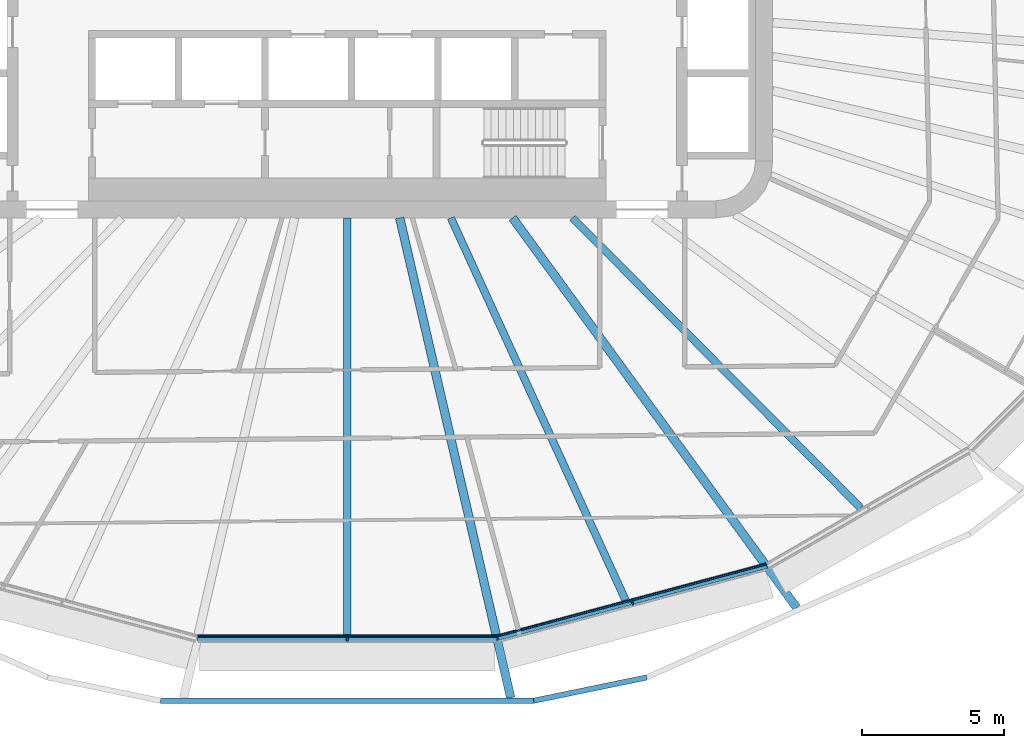
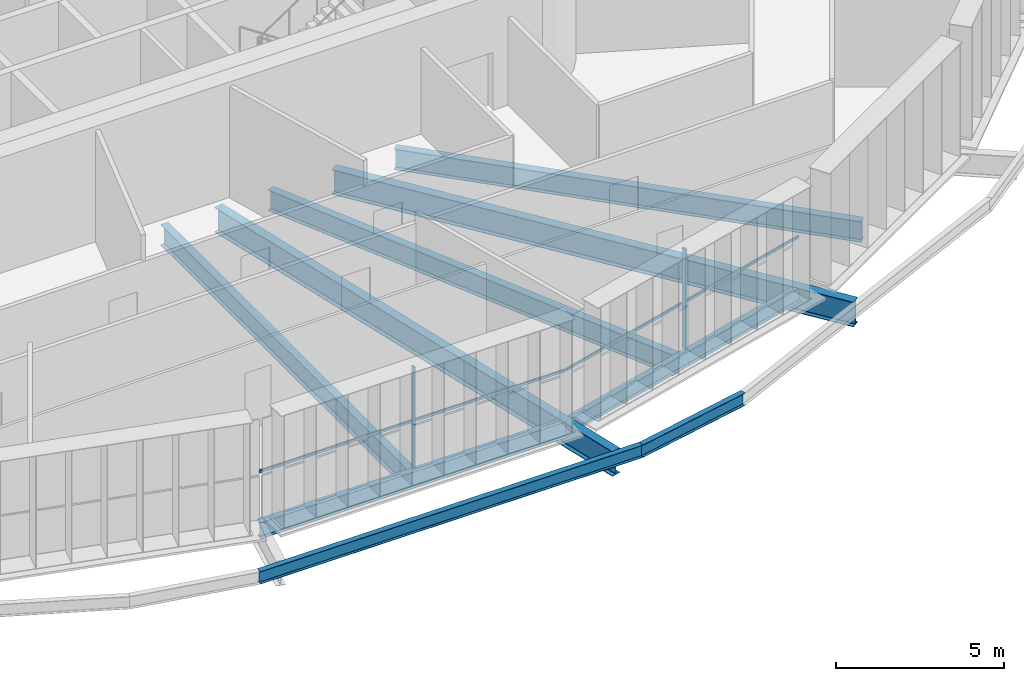
# One storey, part 4 of 24: 9 beams, 4 members, 2 elements without a shape of their own.
"""IFC4 building model written with IfcOpenShell, lengths in metres."""

from ifc_helpers import new_model, si_unit, direction, frame, origin, origin_2d, place, context, subcontext, project, spatial, rectangle, i_section, extrude, material, layer, layer_set, material_profile, profile_set, type_object, element, aggregate, save


model = new_model("IFC4")

# Units and contexts
model_context = context("Model", 3, precision=1e-05, world=origin(), true_north=direction((0.0, 1.0)))
body_context = subcontext(model_context, "Body", "Model", "MODEL_VIEW")
ifc_project = project(units=[si_unit("LENGTHUNIT", "METRE"), si_unit("AREAUNIT", "SQUARE_METRE"), si_unit("VOLUMEUNIT", "CUBIC_METRE"), si_unit("PLANEANGLEUNIT", "RADIAN"), si_unit("MASSUNIT", "GRAM", prefix="KILO")], contexts=[model_context])

# Site, building, storey
site_placement = place(None, origin())
site = spatial("IfcSite", under=ifc_project, at=site_placement, CompositionType="ELEMENT")
building_placement = place(site_placement, origin())
building = spatial("IfcBuilding", under=site, at=building_placement, Name="Sahrelin Media Tower", CompositionType="ELEMENT")
storey_placement = place(building_placement, frame((0.0, 0.0, 58.800048828125)))
storey = spatial("IfcBuildingStorey", under=building, at=storey_placement, Name="L09", CompositionType="ELEMENT", Elevation=58.800048828125)

# Beams
ifc_material_1 = material(Name="Steel S355", Category="steel")
ifc_material_profile_1 = material_profile(ifc_material_1, i_section(OverallWidth=0.208740234375, OverallDepth=0.5283203125, WebThickness=0.009521484375, FlangeThickness=0.01318359375, FilletRadius=0.0126953125, at=origin_2d()), Name="UB 533x210x82")
ifc_profile_set_1 = profile_set([ifc_material_profile_1], Name="Steel S355")
beam_type_1 = type_object("IfcBeamType", Name="Edge beam EB6", PredefinedType="BEAM", material=ifc_profile_set_1)
beam_1_placement = place(storey_placement, frame((14.786865234375, -20.250244140625, -0.414306640625), z_axis=(-0.96592551844, -0.25882019401, 0.0), x_axis=(0.25882019401, -0.96592551844, 0.0)))
element("IfcBeam", 1, at=beam_1_placement, inside=storey, type_object=beam_type_1, Name="Edge beam L09-06", PredefinedType="BEAM", context=body_context, shape_type="SweptSolid", body=[
    extrude(i_section(OverallWidth=0.208740234375, OverallDepth=0.5283203125, WebThickness=0.009521484375, FlangeThickness=0.01318359375, FilletRadius=0.0126953125, at=origin_2d()), origin(), (0.0, 0.0, 1.0), 9.817626953125),
])
ifc_material_profile_2 = material_profile(ifc_material_1, i_section(OverallWidth=0.2275390625, OverallDepth=0.6025390625, WebThickness=0.010498046875, FlangeThickness=0.014892578125, FilletRadius=0.0126953125, at=origin_2d()), Name="UB 610x229x101")
ifc_profile_set_2 = profile_set([ifc_material_profile_2], Name="Steel S355")
beam_type_2 = type_object("IfcBeamType", Name="Edge beam EB7", PredefinedType="BEAM", material=ifc_profile_set_2)
beam_2_placement = place(storey_placement, frame((5.27490234375, -22.795166015625, -0.451416015625), z_axis=(-1.0, 0.0, 0.0), x_axis=(0.0, -1.0, 0.0)))
element("IfcBeam", 2, at=beam_2_placement, inside=storey, type_object=beam_type_2, Name="Edge beam L09-07", PredefinedType="BEAM", context=body_context, shape_type="SweptSolid", body=[
    extrude(i_section(OverallWidth=0.2275390625, OverallDepth=0.6025390625, WebThickness=0.010498046875, FlangeThickness=0.014892578125, FilletRadius=0.0126953125, at=origin_2d()), origin(), (0.0, 0.0, 1.0), 10.5498046875),
])

# Curtain wall, member
ifc_material_2 = material(Name="Champagne anodised aluminium 6063-T6", Category="aluminium")
ifc_layer = layer(ifc_material_2, 0.14990234375)
ifc_layer_set = layer_set([ifc_layer], Name="Tower ribbon curtain wall")
curtain_wall_type = type_object("IfcCurtainWallType", Name="Tower ribbon curtain wall", PredefinedType="NOTDEFINED", material=ifc_layer_set)
curtain_wall_1_placement = place(storey_placement, frame((0.0, -22.945068359375, 0.0), z_axis=(0.0, 0.0, 1.0), x_axis=(1.0, 0.0, 0.0)))
curtain_wall_1 = element("IfcCurtainWall", 3, at=curtain_wall_1_placement, inside=storey, type_object=curtain_wall_type, Name="L09:CW:L09-18", PredefinedType="NOTDEFINED")
ifc_material_profile_3 = material_profile(ifc_material_2, rectangle(XDim=0.06005859375, YDim=0.14990234375, at=origin_2d()), Name="Mullion 60x150")
ifc_profile_set_3 = profile_set([ifc_material_profile_3], Name="Champagne anodised aluminium 6063-T6")
member_type_1 = type_object("IfcMemberType", Name="Mullion 60x150 CW1", PredefinedType="MULLION", material=ifc_profile_set_3)
member_1_placement = place(storey_placement, frame((0.0, -22.85009765625, 0.0), z_axis=(0.0, 0.0, 1.0), x_axis=(1.0, 0.0, 0.0)))
member_1 = element("IfcMember", 4, at=member_1_placement, type_object=member_type_1, Name="L09:CWM:L09-18", PredefinedType="MULLION", context=body_context, shape_type="SweptSolid", body=[
    extrude(rectangle(XDim=0.06005859375, YDim=0.14990234375, at=origin_2d()), origin(), (0.0, 0.0, 1.0), 3.6484375),
])

curtain_wall_2_placement = place(storey_placement, frame((10.083984375, -21.665771484375, 0.0), z_axis=(0.0, 0.0, 1.0), x_axis=(1.0, 0.0, 0.0)))
curtain_wall_2 = element("IfcCurtainWall", 5, at=curtain_wall_2_placement, inside=storey, type_object=curtain_wall_type, Name="L09:CW:L09-19", PredefinedType="NOTDEFINED")
member_2_placement = place(storey_placement, frame((10.059326171875, -21.573974609375, 0.0), z_axis=(0.0, 0.0, 1.0), x_axis=(0.965924471102, 0.258824102675, 0.0)))
member_2 = element("IfcMember", 6, at=member_2_placement, type_object=member_type_1, Name="L09:CWM:L09-19", PredefinedType="MULLION", context=body_context, shape_type="SweptSolid", body=[
    extrude(rectangle(XDim=0.06005859375, YDim=0.14990234375, at=origin_2d()), origin(), (0.0, 0.0, 1.0), 3.6484375),
])

# Beams
ifc_material_profile_4 = material_profile(ifc_material_1, i_section(OverallWidth=0.30322265625, OverallDepth=0.903076171875, WebThickness=0.01513671875, FlangeThickness=0.020263671875, FilletRadius=0.01904296875, at=origin_2d()), Name="UB 914x305x201")
ifc_profile_set_4 = profile_set([ifc_material_profile_4], Name="Steel S355")
beam_type_3 = type_object("IfcBeamType", Name="Radial primary beam PB11", PredefinedType="BEAM", material=ifc_profile_set_4)
beam_3_placement = place(storey_placement, frame((1.85107421875, -8.0, -0.6015625), z_axis=(0.225438360728, -0.974257432875, 0.0), x_axis=(0.974257432875, 0.225438360728, 0.0)))
element("IfcBeam", 7, at=beam_3_placement, inside=storey, type_object=beam_type_3, Name="Radial beam L09-19", PredefinedType="BEAM", context=body_context, shape_type="SweptSolid", body=[
    extrude(i_section(OverallWidth=0.30322265625, OverallDepth=0.903076171875, WebThickness=0.01513671875, FlangeThickness=0.020263671875, FilletRadius=0.01904296875, at=origin_2d()), origin(), (0.0, 0.0, 1.0), 17.371826171875),
])
beam_4_placement = place(storey_placement, frame((5.830810546875, -8.0, -0.6015625), z_axis=(0.589006176074, -0.808128532194, 0.0), x_axis=(0.808128532194, 0.589006176074, 0.0)))
element("IfcBeam", 8, at=beam_4_placement, inside=storey, type_object=beam_type_3, Name="Radial beam L09-20", PredefinedType="BEAM", context=body_context, shape_type="SweptSolid", body=[
    extrude(i_section(OverallWidth=0.30322265625, OverallDepth=0.903076171875, WebThickness=0.01513671875, FlangeThickness=0.020263671875, FilletRadius=0.01904296875, at=origin_2d()), origin(), (0.0, 0.0, 1.0), 17.0068359375),
])
ifc_material_profile_5 = material_profile(ifc_material_1, i_section(OverallWidth=0.26513671875, OverallDepth=0.75390625, WebThickness=0.0126953125, FlangeThickness=0.017578125, FilletRadius=0.0166015625, at=origin_2d()), Name="UB 762x267x147")
ifc_profile_set_5 = profile_set([ifc_material_profile_5], Name="Steel S355")
beam_type_4 = type_object("IfcBeamType", Name="Radial secondary beam SB9", PredefinedType="BEAM", material=ifc_profile_set_5)
beam_5_placement = place(storey_placement, frame((0.0, -8.0, -0.527099609375), z_axis=(0.0, -1.0, 0.0), x_axis=(1.0, 0.0, 0.0)))
element("IfcBeam", 9, at=beam_5_placement, inside=storey, type_object=beam_type_4, Name="Secondary beam L09-18", PredefinedType="BEAM", context=body_context, shape_type="SweptSolid", body=[
    extrude(i_section(OverallWidth=0.26513671875, OverallDepth=0.75390625, WebThickness=0.0126953125, FlangeThickness=0.017578125, FilletRadius=0.0166015625, at=origin_2d()), origin(), (0.0, 0.0, 1.0), 14.681396484375),
])
beam_6_placement = place(storey_placement, frame((3.655517578125, -8.0, -0.527099609375), z_axis=(0.415602418325, -0.909546386878, 0.0), x_axis=(0.909546386878, 0.415602418325, 0.0)))
element("IfcBeam", 10, at=beam_6_placement, inside=storey, type_object=beam_type_4, Name="Secondary beam L09-19", PredefinedType="BEAM", context=body_context, shape_type="SweptSolid", body=[
    extrude(i_section(OverallWidth=0.26513671875, OverallDepth=0.75390625, WebThickness=0.0126953125, FlangeThickness=0.017578125, FilletRadius=0.0166015625, at=origin_2d()), origin(), (0.0, 0.0, 1.0), 14.815185546875),
])
beam_7_placement = place(storey_placement, frame((7.945068359375, -8.0, -0.527099609375), z_axis=(0.704664058133, -0.709541094775, 0.0), x_axis=(0.709541094775, 0.704664058133, 0.0)))
element("IfcBeam", 11, at=beam_7_placement, inside=storey, type_object=beam_type_4, Name="Secondary beam L09-20", PredefinedType="BEAM", context=body_context, shape_type="SweptSolid", body=[
    extrude(i_section(OverallWidth=0.26513671875, OverallDepth=0.75390625, WebThickness=0.0126953125, FlangeThickness=0.017578125, FilletRadius=0.0166015625, at=origin_2d()), origin(), (0.0, 0.0, 1.0), 14.4169921875),
])
ifc_material_profile_6 = material_profile(ifc_material_1, i_section(OverallWidth=0.1904296875, OverallDepth=0.45703125, WebThickness=0.009033203125, FlangeThickness=0.014404296875, FilletRadius=0.01025390625, at=origin_2d()), Name="UB 457x191x74")
ifc_profile_set_6 = profile_set([ifc_material_profile_6], Name="Steel S355")
beam_type_5 = type_object("IfcBeamType", Name="Tie chord TC5", PredefinedType="BEAM", material=ifc_profile_set_6)
beam_8_placement = place(storey_placement, frame((-6.5791015625, -25.019775390625, -0.378662109375), z_axis=(1.0, 0.0, 0.0), x_axis=(0.0, 1.0, 0.0)))
element("IfcBeam", 12, at=beam_8_placement, inside=storey, type_object=beam_type_5, Name="Tie chord L09-18", PredefinedType="BEAM", context=body_context, shape_type="SweptSolid", body=[
    extrude(i_section(OverallWidth=0.1904296875, OverallDepth=0.45703125, WebThickness=0.009033203125, FlangeThickness=0.014404296875, FilletRadius=0.01025390625, at=origin_2d()), origin(), (0.0, 0.0, 1.0), 13.158203125),
])
beam_9_placement = place(storey_placement, frame((6.5791015625, -25.019775390625, -0.378662109375), z_axis=(0.979385716401, 0.201999055716, 0.0), x_axis=(-0.201999055716, 0.979385716401, 0.0)))
element("IfcBeam", 13, at=beam_9_placement, inside=storey, type_object=beam_type_5, Name="Tie chord L09-19", PredefinedType="BEAM", context=body_context, shape_type="SweptSolid", body=[
    extrude(i_section(OverallWidth=0.1904296875, OverallDepth=0.45703125, WebThickness=0.009033203125, FlangeThickness=0.014404296875, FilletRadius=0.01025390625, at=origin_2d()), origin(), (0.0, 0.0, 1.0), 4.059814453125),
])

# Member
ifc_material_profile_7 = material_profile(ifc_material_2, rectangle(XDim=0.050048828125, YDim=0.10009765625, at=origin_2d()), Name="Transom 50x100")
ifc_profile_set_7 = profile_set([ifc_material_profile_7], Name="Champagne anodised aluminium 6063-T6")
member_type_2 = type_object("IfcMemberType", Name="Transom 50x100 CW1", PredefinedType="USERDEFINED", material=ifc_profile_set_7)
member_3_placement = place(storey_placement, frame((-5.25927734375, -22.75, 1.599853515625), z_axis=(1.0, 0.0, 0.0), x_axis=(0.0, 1.0, 0.0)))
member_3 = element("IfcMember", 14, at=member_3_placement, type_object=member_type_2, Name="L09:CWT:L09-18", ObjectType="TRANSOM", PredefinedType="USERDEFINED", context=body_context, shape_type="SweptSolid", body=[
    extrude(rectangle(XDim=0.050048828125, YDim=0.10009765625, at=origin_2d()), origin(), (0.0, 0.0, 1.0), 10.5185546875),
])

aggregate(curtain_wall_1, [member_1, member_3])

member_4_placement = place(storey_placement, frame((5.30712890625, -22.743896484375, 1.599853515625), z_axis=(0.965924109798, 0.258825451049, 0.0), x_axis=(-0.258825451049, 0.965924109798, 0.0)))
member_4 = element("IfcMember", 15, at=member_4_placement, type_object=member_type_2, Name="L09:CWT:L09-19", ObjectType="TRANSOM", PredefinedType="USERDEFINED", context=body_context, shape_type="SweptSolid", body=[
    extrude(rectangle(XDim=0.050048828125, YDim=0.10009765625, at=origin_2d()), origin(), (0.0, 0.0, 1.0), 9.786376953125),
])

aggregate(curtain_wall_2, [member_2, member_4])

save(model, "model.ifc")
